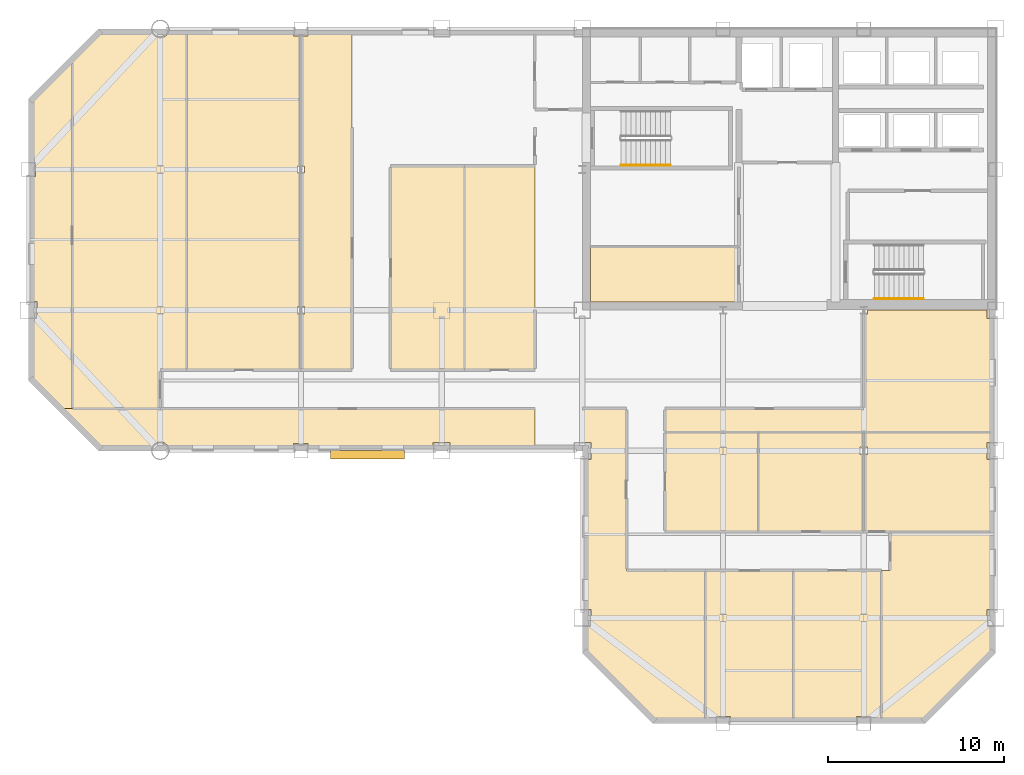
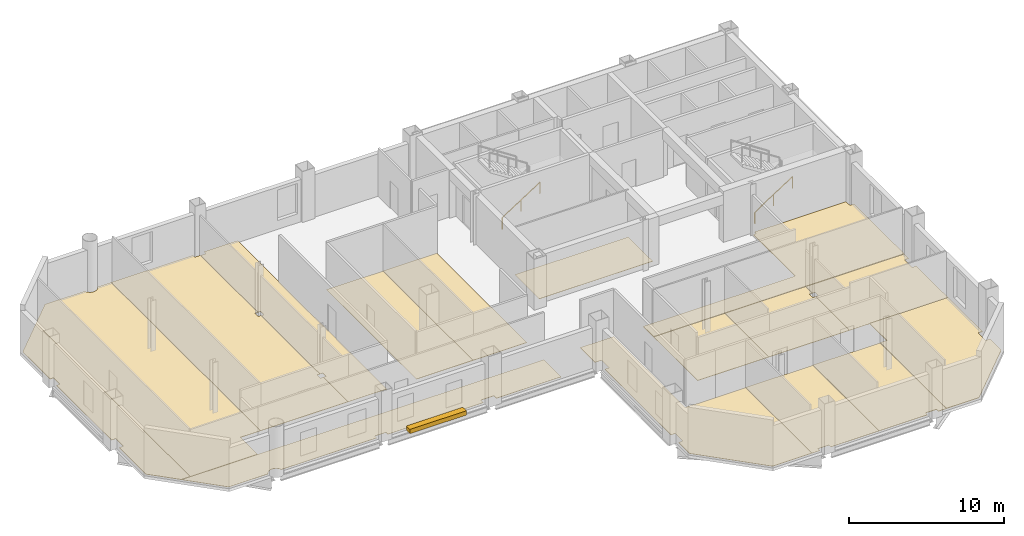
# One storey, part 8 of 9: 16 coverings, 2 railings, 1 shading device.
"""IFC4 building model written with IfcOpenShell, lengths in metres."""

from ifc_helpers import new_model, si_unit, direction, frame, origin, origin_2d, place, context, subcontext, project, spatial, polyline, rectangle, circle, outline, extrude, material, layer, layer_set, type_object, element, save


model = new_model("IFC4")

# Units and contexts
model_context = context("Model", 3, precision=1e-05, world=origin(), true_north=direction((0.0, 1.0)))
body_context = subcontext(model_context, "Body", "Model", "MODEL_VIEW")
ifc_project = project(units=[si_unit("LENGTHUNIT", "METRE"), si_unit("AREAUNIT", "SQUARE_METRE"), si_unit("VOLUMEUNIT", "CUBIC_METRE"), si_unit("PLANEANGLEUNIT", "RADIAN"), si_unit("MASSUNIT", "GRAM", prefix="KILO")], contexts=[model_context])

# Site, building, storey
site_placement = place(None, origin())
site = spatial("IfcSite", under=ifc_project, at=site_placement, CompositionType="ELEMENT")
building_placement = place(site_placement, origin())
building = spatial("IfcBuilding", under=site, at=building_placement, Name="Qianrong Seaharbour Tower", CompositionType="ELEMENT")
storey_placement = place(building_placement, frame((0.0, 0.0, 269.800048828125)))
storey = spatial("IfcBuildingStorey", under=building, at=storey_placement, Name="L65", CompositionType="ELEMENT", Elevation=269.800048828125)

# Coverings
ifc_material_1 = material(Name="Acoustic modular carpet tile flooring")
ifc_layer_1 = layer(ifc_material_1, 0.02001953125)
ifc_layer_set_1 = layer_set([ifc_layer_1], Name="Acoustic modular carpet tile flooring")
covering_type_1 = type_object("IfcCoveringType", Name="COV-FLOOR-CARPET-20", PredefinedType="FLOORING", material=ifc_layer_set_1)
covering_1_placement = place(storey_placement, origin())
element("IfcCovering", 1, at=covering_1_placement, inside=storey, type_object=covering_type_1, Name="L65 Wellness Room Finish Flooring", PredefinedType="FLOORING", context=body_context, shape_type="SweptSolid", body=[
    extrude(outline(polyline([(49.39990234375, 39.60009765625), (49.39990234375, 36.4599609375), (40.985107421875, 36.4599609375), (40.985107421875, 36.485107421875), (40.9599609375, 36.485107421875), (40.9599609375, 39.60009765625), (49.39990234375, 39.60009765625)])), origin(), (0.0, 0.0, 1.0), 0.02001953125),
])
covering_2_placement = place(storey_placement, origin())
element("IfcCovering", 2, at=covering_2_placement, inside=storey, type_object=covering_type_1, Name="L65 Trade Meeting Room 3 Finish Flooring", PredefinedType="FLOORING", context=body_context, shape_type="SweptSolid", body=[
    extrude(outline(polyline([(63.8349609375, 29.070068359375), (63.8349609375, 28.485107421875), (63.514892578125, 28.485107421875), (63.514892578125, 27.514892578125), (63.8349609375, 27.514892578125), (63.8349609375, 23.39990234375), (56.5, 23.39990234375), (56.5, 27.7900390625), (56.7099609375, 27.7900390625), (56.7099609375, 28.2099609375), (56.5, 28.2099609375), (56.5, 29.070068359375), (63.8349609375, 29.070068359375)])), origin(), (0.0, 0.0, 1.0), 0.02001953125),
])
covering_3_placement = place(storey_placement, origin())
element("IfcCovering", 3, at=covering_3_placement, inside=storey, type_object=covering_type_1, Name="L65 Contract Meeting Room 4 Finish Flooring", PredefinedType="FLOORING", context=body_context, shape_type="SweptSolid", body=[
    extrude(outline(polyline([(27.39990234375, 51.8349609375), (27.39990234375, 32.60009765625), (24.5, 32.60009765625), (24.5, 35.7900390625), (24.7099609375, 35.7900390625), (24.7099609375, 36.2099609375), (24.5, 36.2099609375), (24.5, 43.7900390625), (24.7099609375, 43.7900390625), (24.7099609375, 44.2099609375), (24.5, 44.2099609375), (24.5, 51.590087890625), (24.909912109375, 51.590087890625), (24.909912109375, 51.8349609375), (27.39990234375, 51.8349609375)])), origin(), (0.0, 0.0, 1.0), 0.02001953125),
])
covering_4_placement = place(storey_placement, origin())
element("IfcCovering", 4, at=covering_4_placement, inside=storey, type_object=covering_type_1, Name="L65 Wet Pantry 1 Finish Flooring", PredefinedType="FLOORING", context=body_context, shape_type="SweptSolid", body=[
    extrude(outline(polyline([(32.985107421875, 28.1650390625), (32.985107421875, 28.485107421875), (32.014892578125, 28.485107421875), (32.014892578125, 28.1650390625), (24.909912109375, 28.1650390625), (24.909912109375, 28.409912109375), (24.090087890625, 28.409912109375), (24.090087890625, 28.1650390625), (16.980224609375, 28.1650390625), (16.97119140625, 28.1953125), (16.924072265625, 28.283203125), (16.860595703125, 28.360595703125), (16.783203125, 28.424072265625), (16.6953125, 28.47119140625), (16.599609375, 28.500244140625), (16.5, 28.510009765625), (16.400390625, 28.500244140625), (16.3046875, 28.47119140625), (16.216796875, 28.424072265625), (16.139404296875, 28.360595703125), (16.075927734375, 28.283203125), (16.02880859375, 28.1953125), (16.019775390625, 28.1650390625), (13.068359375, 28.1650390625), (10.833251953125, 30.39990234375), (37.800048828125, 30.39990234375), (37.800048828125, 28.1650390625), (32.985107421875, 28.1650390625)])), origin(), (0.0, 0.0, 1.0), 0.02001953125),
])
covering_5_placement = place(storey_placement, origin())
element("IfcCovering", 5, at=covering_5_placement, inside=storey, type_object=covering_type_1, Name="L65 Harbour Trade Lounge 1 Finish Flooring", PredefinedType="FLOORING", context=body_context, shape_type="SweptSolid", body=[
    extrude(outline(polyline([(43.0, 21.199951171875), (47.5, 21.199951171875), (47.5, 12.6650390625), (44.568359375, 12.6650390625), (40.6650390625, 16.568359375), (40.6650390625, 18.014892578125), (40.985107421875, 18.014892578125), (40.985107421875, 18.985107421875), (40.6650390625, 18.985107421875), (40.6650390625, 27.514892578125), (40.985107421875, 27.514892578125), (40.985107421875, 28.485107421875), (40.5, 28.485107421875), (40.5, 30.39990234375), (43.0, 30.39990234375), (43.0, 21.199951171875)])), origin(), (0.0, 0.0, 1.0), 0.02001953125),
])
covering_6_placement = place(storey_placement, origin())
element("IfcCovering", 6, at=covering_6_placement, inside=storey, type_object=covering_type_1, Name="L65 Contract Signing Room 2 Finish Flooring", PredefinedType="FLOORING", context=body_context, shape_type="SweptSolid", body=[
    extrude(outline(polyline([(48.909912109375, 12.6650390625), (48.909912109375, 12.909912109375), (48.090087890625, 12.909912109375), (48.090087890625, 12.6650390625), (47.5, 12.6650390625), (47.5, 21.199951171875), (52.5, 21.199951171875), (52.5, 12.6650390625), (48.909912109375, 12.6650390625)])), origin(), (0.0, 0.0, 1.0), 0.02001953125),
])
ifc_material_2 = material(Name="Honed granite stone flooring", Category="masonry")
ifc_layer_2 = layer(ifc_material_2, 0.030029296875)
ifc_layer_set_2 = layer_set([ifc_layer_2], Name="Honed granite stone flooring")
covering_type_2 = type_object("IfcCoveringType", Name="COV-FLOOR-GRANITE-30", PredefinedType="FLOORING", material=ifc_layer_set_2)
covering_7_placement = place(storey_placement, origin())
element("IfcCovering", 7, at=covering_7_placement, inside=storey, type_object=covering_type_2, Name="L65 Chartering Model Showroom 1 Finish Flooring", PredefinedType="FLOORING", context=body_context, shape_type="SweptSolid", body=[
    extrude(outline(polyline([(50.5, 29.070068359375), (50.5, 23.39990234375), (45.199951171875, 23.39990234375), (45.199951171875, 29.070068359375), (50.5, 29.070068359375)])), origin(), (0.0, 0.0, 1.0), 0.030029296875),
])
covering_8_placement = place(storey_placement, origin())
element("IfcCovering", 8, at=covering_8_placement, inside=storey, type_object=covering_type_2, Name="L65 Port Equipment Showroom 2 Finish Flooring", PredefinedType="FLOORING", context=body_context, shape_type="SweptSolid", body=[
    extrude(outline(polyline([(56.5, 29.070068359375), (56.5, 28.2099609375), (56.2900390625, 28.2099609375), (56.2900390625, 27.7900390625), (56.5, 27.7900390625), (56.5, 23.39990234375), (50.5, 23.39990234375), (50.5, 29.070068359375), (56.5, 29.070068359375)])), origin(), (0.0, 0.0, 1.0), 0.030029296875),
])
covering_9_placement = place(storey_placement, origin())
element("IfcCovering", 9, at=covering_9_placement, inside=storey, type_object=covering_type_2, Name="L65 Vessel Model Showroom 1 Finish Flooring", PredefinedType="FLOORING", context=body_context, shape_type="SweptSolid", body=[
    extrude(outline(polyline([(9.1650390625, 32.068359375), (9.1650390625, 35.514892578125), (9.485107421875, 35.514892578125), (9.485107421875, 36.485107421875), (9.1650390625, 36.485107421875), (9.1650390625, 43.590087890625), (9.409912109375, 43.590087890625), (9.409912109375, 44.409912109375), (9.1650390625, 44.409912109375), (9.1650390625, 47.931640625), (11.5, 50.2666015625), (11.5, 30.39990234375), (10.833251953125, 30.39990234375), (9.1650390625, 32.068359375)])), origin(), (0.0, 0.0, 1.0), 0.030029296875),
])
covering_10_placement = place(storey_placement, origin())
element("IfcCovering", 10, at=covering_10_placement, inside=storey, type_object=covering_type_2, Name="L65 Navigation Systems Showroom 2 Finish Flooring", PredefinedType="FLOORING", context=body_context, shape_type="SweptSolid", body=[
    extrude(outline(polyline([(11.5, 50.2666015625), (13.068359375, 51.8349609375), (16.019775390625, 51.8349609375), (16.02880859375, 51.8046875), (16.075927734375, 51.716796875), (16.139404296875, 51.639404296875), (16.216796875, 51.575927734375), (16.3046875, 51.52880859375), (16.400390625, 51.499755859375), (16.5, 51.489990234375), (16.599609375, 51.499755859375), (16.6953125, 51.52880859375), (16.783203125, 51.575927734375), (16.860595703125, 51.639404296875), (16.924072265625, 51.716796875), (16.97119140625, 51.8046875), (16.980224609375, 51.8349609375), (18.0, 51.8349609375), (18.0, 32.60009765625), (16.5, 32.60009765625), (16.5, 30.39990234375), (11.5, 30.39990234375), (11.5, 50.2666015625)])), origin(), (0.0, 0.0, 1.0), 0.030029296875),
])
covering_11_placement = place(storey_placement, origin())
element("IfcCovering", 11, at=covering_11_placement, inside=storey, type_object=covering_type_2, Name="L65 Marine Propulsion Showroom 3 Finish Flooring", PredefinedType="FLOORING", context=body_context, shape_type="SweptSolid", body=[
    extrude(outline(polyline([(24.090087890625, 51.8349609375), (24.090087890625, 51.590087890625), (24.5, 51.590087890625), (24.5, 44.2099609375), (24.2900390625, 44.2099609375), (24.2900390625, 43.7900390625), (24.5, 43.7900390625), (24.5, 36.2099609375), (24.2900390625, 36.2099609375), (24.2900390625, 35.7900390625), (24.5, 35.7900390625), (24.5, 32.60009765625), (18.0, 32.60009765625), (18.0, 51.8349609375), (24.090087890625, 51.8349609375)])), origin(), (0.0, 0.0, 1.0), 0.030029296875),
])
covering_12_placement = place(storey_placement, origin())
element("IfcCovering", 12, at=covering_12_placement, inside=storey, type_object=covering_type_2, Name="L65 Cargo Systems Showroom 1 Finish Flooring", PredefinedType="FLOORING", context=body_context, shape_type="SweptSolid", body=[
    extrude(outline(polyline([(29.60009765625, 44.199951171875), (33.800048828125, 44.199951171875), (33.800048828125, 32.60009765625), (29.60009765625, 32.60009765625), (29.60009765625, 44.199951171875)])), origin(), (0.0, 0.0, 1.0), 0.030029296875),
])
covering_13_placement = place(storey_placement, origin())
element("IfcCovering", 13, at=covering_13_placement, inside=storey, type_object=covering_type_2, Name="L65 Fleet Logistics Showroom 2 Finish Flooring", PredefinedType="FLOORING", context=body_context, shape_type="SweptSolid", body=[
    extrude(outline(polyline([(33.800048828125, 44.199951171875), (37.800048828125, 44.199951171875), (37.800048828125, 32.60009765625), (33.800048828125, 32.60009765625), (33.800048828125, 44.199951171875)])), origin(), (0.0, 0.0, 1.0), 0.030029296875),
])
covering_14_placement = place(storey_placement, origin())
element("IfcCovering", 14, at=covering_14_placement, inside=storey, type_object=covering_type_2, Name="L65 Marine Showcase Showroom 3 Finish Flooring", PredefinedType="FLOORING", context=body_context, shape_type="SweptSolid", body=[
    extrude(outline(polyline([(56.909912109375, 12.6650390625), (56.909912109375, 12.909912109375), (56.090087890625, 12.909912109375), (56.090087890625, 12.6650390625), (52.5, 12.6650390625), (52.5, 21.199951171875), (57.5, 21.199951171875), (57.5, 12.6650390625), (56.909912109375, 12.6650390625)])), origin(), (0.0, 0.0, 1.0), 0.030029296875),
])
ifc_material_3 = material(Name="Calcium-sulphate raised access floor tile")
ifc_layer_3 = layer(ifc_material_3, 0.044921875)
ifc_layer_set_3 = layer_set([ifc_layer_3], Name="Calcium-sulphate raised access floor tile")
covering_type_3 = type_object("IfcCoveringType", Name="COV-FLOOR-RAISED-45", PredefinedType="FLOORING", material=ifc_layer_set_3)
covering_15_placement = place(storey_placement, origin())
element("IfcCovering", 15, at=covering_15_placement, inside=storey, type_object=covering_type_3, Name="L65 Commercial Desk Open-Plan Office Finish Flooring", PredefinedType="FLOORING", context=body_context, shape_type="SweptSolid", body=[
    extrude(outline(polyline([(56.5, 30.39990234375), (56.5, 35.7900390625), (56.7099609375, 35.7900390625), (56.7099609375, 36.0), (63.514892578125, 36.0), (63.514892578125, 35.514892578125), (63.8349609375, 35.514892578125), (63.8349609375, 29.070068359375), (45.199951171875, 29.070068359375), (45.199951171875, 30.39990234375), (56.5, 30.39990234375)])), origin(), (0.0, 0.0, 1.0), 0.044921875),
])
covering_16_placement = place(storey_placement, origin())
element("IfcCovering", 16, at=covering_16_placement, inside=storey, type_object=covering_type_3, Name="L65 Brokerage Office 4 Finish Flooring", PredefinedType="FLOORING", context=body_context, shape_type="SweptSolid", body=[
    extrude(outline(polyline([(59.931640625, 12.6650390625), (57.5, 12.6650390625), (57.5, 21.199951171875), (58.0, 21.199951171875), (58.0, 23.39990234375), (63.8349609375, 23.39990234375), (63.8349609375, 18.985107421875), (63.514892578125, 18.985107421875), (63.514892578125, 18.014892578125), (63.8349609375, 18.014892578125), (63.8349609375, 16.568359375), (59.931640625, 12.6650390625)])), origin(), (0.0, 0.0, 1.0), 0.044921875),
])

# Railings
ifc_material_4 = material(Name="Stainless steel SUS316L continuous handrail", Category="steel")
railing_type = type_object("IfcRailingType", Name="RAIL-STAIR-HANDRAIL-900", PredefinedType="HANDRAIL", material=ifc_material_4)
railing_1_placement = place(storey_placement, frame((42.699951171875, 44.25, 0.181884765625)))
element("IfcRailing", 17, at=railing_1_placement, inside=storey, type_object=railing_type, Name="L65 ST-1 stair handrail 1", PredefinedType="HANDRAIL", context=body_context, shape_type="SweptSolid", body=[
    extrude(circle(Radius=0.02392578125, at=origin_2d()), frame((0.0, 0.0, 0.8759765625), z_axis=(0.838705829183, 0.0, 0.544584733623), x_axis=(0.0, 1.0, 0.0)), (0.0, 0.0, 1.0), 3.338623046875),
    extrude(circle(Radius=0.02099609375, at=origin_2d()), origin(), (0.0, 0.0, 1.0), 0.851806640625),
    extrude(circle(Radius=0.02099609375, at=origin_2d()), frame((1.39990234375, 0.0, 0.9091796875)), (0.0, 0.0, 1.0), 0.851806640625),
    extrude(circle(Radius=0.02099609375, at=origin_2d()), frame((2.800048828125, 0.0, 1.818115234375)), (0.0, 0.0, 1.0), 0.851806640625),
])
railing_2_placement = place(storey_placement, frame((57.10009765625, 36.64990234375, 0.181884765625)))
element("IfcRailing", 18, at=railing_2_placement, inside=storey, type_object=railing_type, Name="L65 ST-2 stair handrail 1", PredefinedType="HANDRAIL", context=body_context, shape_type="SweptSolid", body=[
    extrude(circle(Radius=0.02392578125, at=origin_2d()), frame((0.0, 0.0, 0.8759765625), z_axis=(0.83868413941, 0.0, 0.544618136222), x_axis=(0.0, 1.0, 0.0)), (0.0, 0.0, 1.0), 3.33837890625),
    extrude(circle(Radius=0.02099609375, at=origin_2d()), origin(), (0.0, 0.0, 1.0), 0.851806640625),
    extrude(circle(Radius=0.02099609375, at=origin_2d()), frame((1.39990234375, 0.0, 0.9091796875)), (0.0, 0.0, 1.0), 0.851806640625),
    extrude(circle(Radius=0.02099609375, at=origin_2d()), frame((2.7998046875, 0.0, 1.818115234375)), (0.0, 0.0, 1.0), 0.851806640625),
])

# Shading device
ifc_material_5 = material(Name="White architectural precast concrete C45/55", Category="concrete")
shading_device_type = type_object("IfcShadingDeviceType", Name="SHD-SUNSHADE-WHITE-320", PredefinedType="AWNING", material=ifc_material_5)
shading_device_placement = place(storey_placement, frame((28.28759765625, 27.780029296875, -0.02001953125), z_axis=(0.0, 0.0, 1.0), x_axis=(1.0, 0.0, 0.0)))
element("IfcShadingDevice", 19, at=shading_device_placement, inside=storey, type_object=shading_device_type, Name="L65 Climbing White Precast Ribbon Canopy Fin", PredefinedType="AWNING", context=body_context, shape_type="SweptSolid", body=[
    extrude(rectangle(XDim=4.199951171875, YDim=0.4599609375, at=origin_2d()), origin(), (0.0, 0.0, 1.0), 0.340087890625),
])

save(model, "model.ifc")
